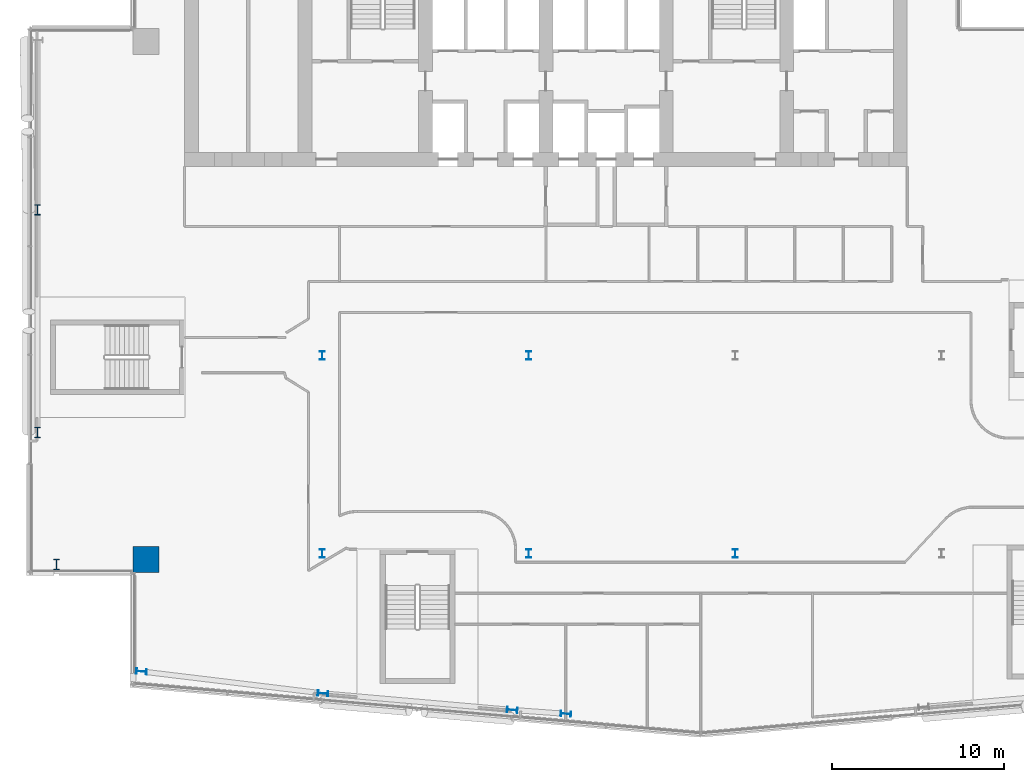
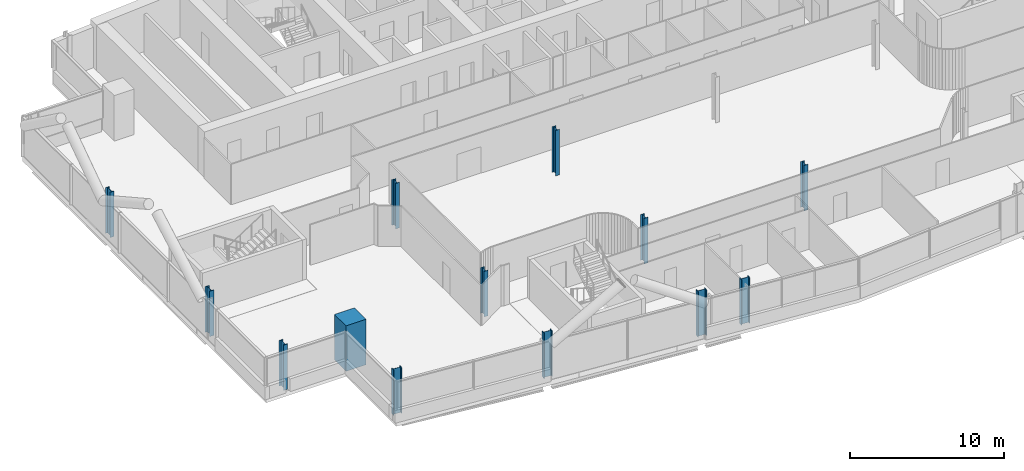
# One storey, part 1 of 29: 13 columns.
"""IFC4 building model written with IfcOpenShell, lengths in metres."""

import ifcopenshell
import ifcopenshell.guid

model = None  # the IFC model being written
_history = None  # IfcOwnerHistory: only IFC2X3 demands one
_inside = {}  # id of a spatial element -> (the spatial element, [elements in it])
_under = {}  # id of a project, library or spatial element -> (it, [spatial elements below it])
_declared = {}  # id of a project -> (the project, [libraries it declares])
_typed = {}  # id of a type object -> (the type object, [elements of that type])
_made_of = {}  # id of a material, layer set ... -> (it, [elements and type objects made of it])


def new_model(schema):
    """Start an empty IFC model of exactly this schema.

    Asked for "IFC4X3", IfcOpenShell would pick the latest addendum, in which some entities
    have other attributes; the version numbers below select the first issue.
    IFC2X3 requires an IfcOwnerHistory on every rooted entity: one is made here for all.
    """
    global model, _history
    if schema == "IFC4X3":
        model = ifcopenshell.file(schema_version=(4, 3, 0, 0))
    else:
        model = ifcopenshell.file(schema=schema)
    _inside.clear()
    _under.clear()
    _declared.clear()
    _typed.clear()
    _made_of.clear()
    _history = None
    if model.schema == "IFC2X3":
        org = make("IfcOrganization", Name="unknown")
        user = make(
            "IfcPersonAndOrganization",
            ThePerson=make("IfcPerson", FamilyName="unknown"),
            TheOrganization=org,
        )
        app = make(
            "IfcApplication",
            ApplicationDeveloper=org,
            Version="unknown",
            ApplicationFullName="unknown",
            ApplicationIdentifier="unknown",
        )
        _history = make(
            "IfcOwnerHistory",
            OwningUser=user,
            OwningApplication=app,
            ChangeAction="ADDED",
            CreationDate=0,
        )
    return model


def make(cls, **values):
    """One entity of the class cls with the attributes given. An attribute that is None is left unset."""
    return model.create_entity(
        cls, **{name: value for name, value in values.items() if value is not None}
    )


def rooted(cls, **values):
    """An entity with a GlobalId (a new one), such as an element, a storey or a relation."""
    return make(cls, GlobalId=ifcopenshell.guid.new(), OwnerHistory=_history, **values)


def si_unit(unit_type, name, prefix=None):
    """IfcSIUnit, for example si_unit("LENGTHUNIT", "METRE", prefix="MILLI")."""
    return make("IfcSIUnit", UnitType=unit_type, Prefix=prefix, Name=name)


def assignment(units):
    """IfcUnitAssignment: the units of a project."""
    return None if units is None else make("IfcUnitAssignment", Units=units)


def point(xyz):
    """IfcCartesianPoint."""
    return None if xyz is None else make("IfcCartesianPoint", Coordinates=xyz)


def direction(xyz):
    """IfcDirection."""
    return None if xyz is None else make("IfcDirection", DirectionRatios=xyz)


def frame(location, z_axis=None, x_axis=None):
    """IfcAxis2Placement3D, a coordinate frame: its origin and axes. An axis left out is left unset."""
    return make(
        "IfcAxis2Placement3D",
        Location=point(location),
        Axis=direction(z_axis),
        RefDirection=direction(x_axis),
    )


def frame_2d(location, x_axis=None):
    """IfcAxis2Placement2D, a coordinate frame in the plane: its origin and x axis."""
    return make(
        "IfcAxis2Placement2D", Location=point(location), RefDirection=direction(x_axis)
    )


def origin():
    """The frame at (0, 0, 0) with its axes left unset."""
    return frame((0.0, 0.0, 0.0))


def origin_2d():
    """The frame at (0, 0) in the plane with its x axis left unset."""
    return frame_2d((0.0, 0.0))


def place(relative_to, where):
    """IfcLocalPlacement: puts the frame where relative to a parent placement (None: the world)."""
    return make(
        "IfcLocalPlacement", PlacementRelTo=relative_to, RelativePlacement=where
    )


def context(
    kind, dimensions, precision=None, world=None, true_north=None, identifier=None
):
    """IfcGeometricRepresentationContext, for example the 3D "Model" context."""
    return make(
        "IfcGeometricRepresentationContext",
        ContextIdentifier=identifier,
        ContextType=kind,
        CoordinateSpaceDimension=dimensions,
        Precision=precision,
        WorldCoordinateSystem=world,
        TrueNorth=true_north,
    )


def subcontext(parent, identifier, kind, view, scale=None):
    """IfcGeometricRepresentationSubContext, for example "Body" below "Model"."""
    return make(
        "IfcGeometricRepresentationSubContext",
        ContextIdentifier=identifier,
        ContextType=kind,
        ParentContext=parent,
        TargetScale=scale,
        TargetView=view,
    )


def project(units=None, contexts=None):
    """IfcProject with its units and contexts."""
    return rooted(
        "IfcProject",
        Name="project",
        RepresentationContexts=contexts,
        UnitsInContext=assignment(units),
    )


def spatial(cls, under=None, at=None, **own):
    """A site, building, storey or space (cls), placed at a placement, below another one or the project."""
    s = rooted(cls, ObjectPlacement=at, **own)
    if under is not None:
        _under.setdefault(under.id(), (under, []))[1].append(s)
    return s


def profile(cls, at=None, kind="AREA", **sizes):
    """A parametric profile (cls). Its sizes go by their IFC names, for example OverallWidth=200.0."""
    return make(cls, ProfileType=kind, Position=at, **sizes)


def rectangle(**sizes):
    """IfcRectangleProfileDef."""
    return profile("IfcRectangleProfileDef", **sizes)


def i_section(**sizes):
    """IfcIShapeProfileDef."""
    return profile("IfcIShapeProfileDef", **sizes)


def extrude(swept, where, along, depth):
    """IfcExtrudedAreaSolid: the profile swept, set in the frame where, extruded along a direction by depth."""
    return make(
        "IfcExtrudedAreaSolid",
        SweptArea=swept,
        Position=where,
        ExtrudedDirection=direction(along),
        Depth=depth,
    )


def shape(context_of_items, identifier, shape_type, items):
    """IfcShapeRepresentation: the items that make up one representation, for example the "Body"."""
    return make(
        "IfcShapeRepresentation",
        ContextOfItems=context_of_items,
        RepresentationIdentifier=identifier,
        RepresentationType=shape_type,
        Items=items,
    )


def material(Name=None, Category=None):
    """IfcMaterial."""
    return make("IfcMaterial", Name=Name, Category=Category)


def material_profile(
    of_material, cross_section, Name=None, Category=None, Priority=None
):
    """IfcMaterialProfile: a cross section and its material."""
    return make(
        "IfcMaterialProfile",
        Name=Name,
        Material=of_material,
        Profile=cross_section,
        Priority=Priority,
        Category=Category,
    )


def profile_set(profiles, Name=None, composite=None):
    """IfcMaterialProfileSet."""
    return make(
        "IfcMaterialProfileSet",
        Name=Name,
        MaterialProfiles=profiles,
        CompositeProfile=composite,
    )


def made_of(thing, what):
    """Note that an element or type object is made of a material, layer set ...; save() writes the relation."""
    if what is not None:
        _made_of.setdefault(what.id(), (what, []))[1].append(thing)
    return thing


def type_object(cls, material=None, **own):
    """A type object (cls), such as IfcWallType, which elements share."""
    return made_of(rooted(cls, **own), material)


def element(
    cls,
    number,
    at=None,
    inside=None,
    cuts=None,
    type_object=None,
    material=None,
    context=None,
    identifier="Body",
    shape_type=None,
    held_by="IfcProductDefinitionShape",
    body=None,
    shapes=None,
    **own,
):
    """One element of the class cls, such as IfcWall. Its Tag is "e" and its number.

    at: its placement. inside: the storey or other place that contains it. cuts: it is an
    opening in that element (IfcRelVoidsElement). A single representation is given by context,
    identifier, shape_type and body (its items); several are given by shapes. held_by: the class
    of the entity that holds the representations. save() writes the other relations.
    """
    e = rooted(cls, Tag="e%d" % number, ObjectPlacement=at, **own)
    if body is not None:
        shapes = [shape(context, identifier, shape_type, body)]
    if shapes is not None:
        e.Representation = make(held_by, Representations=shapes)
    if inside is not None:
        _inside.setdefault(inside.id(), (inside, []))[1].append(e)
    if cuts is not None:
        rooted(
            "IfcRelVoidsElement", RelatingBuildingElement=cuts, RelatedOpeningElement=e
        )
    if type_object is not None:
        _typed.setdefault(type_object.id(), (type_object, []))[1].append(e)
    return made_of(e, material)


def aggregate(whole, parts):
    """IfcRelAggregates: a whole, such as a stair, and the parts it consists of."""
    return rooted("IfcRelAggregates", RelatingObject=whole, RelatedObjects=parts)


def save(model, path):
    """Write the relations noted so far, then the file.

    IfcRelAggregates (storeys below a building ...), IfcRelContainedInSpatialStructure (elements
    in a storey), IfcRelDefinesByType, IfcRelAssociatesMaterial and IfcRelDeclares: one each for
    every whole, place, type object, material and project.
    """
    for whole, parts in _under.values():
        aggregate(whole, parts)
    for where, things in _inside.values():
        rooted(
            "IfcRelContainedInSpatialStructure",
            RelatedElements=things,
            RelatingStructure=where,
        )
    for kind, things in _typed.values():
        rooted("IfcRelDefinesByType", RelatedObjects=things, RelatingType=kind)
    for what, things in _made_of.values():
        rooted("IfcRelAssociatesMaterial", RelatedObjects=things, RelatingMaterial=what)
    for by, libraries in _declared.values():
        rooted("IfcRelDeclares", RelatingContext=by, RelatedDefinitions=libraries)
    model.write(path)


model = new_model("IFC4")

# Units and contexts
model_context = context("Model", 3, precision=1e-05, world=origin(), true_north=direction((0.0, 1.0)))
body_context = subcontext(model_context, "Body", "Model", "MODEL_VIEW")
ifc_project = project(units=[si_unit("LENGTHUNIT", "METRE"), si_unit("AREAUNIT", "SQUARE_METRE"), si_unit("VOLUMEUNIT", "CUBIC_METRE"), si_unit("PLANEANGLEUNIT", "RADIAN"), si_unit("MASSUNIT", "GRAM", prefix="KILO")], contexts=[model_context])

# Site, building, storey
site_placement = place(None, origin())
site = spatial("IfcSite", under=ifc_project, at=site_placement, CompositionType="ELEMENT")
building_placement = place(site_placement, origin())
building = spatial("IfcBuilding", under=site, at=building_placement, Name="Wharfspan Tower", CompositionType="ELEMENT")
storey_placement = place(building_placement, frame((0.0, 0.0, 155.5)))
storey = spatial("IfcBuildingStorey", under=building, at=storey_placement, Name="L37", CompositionType="ELEMENT", Elevation=155.5)

# Columns
ifc_material_1 = material(Name="Steel S355J2", Category="steel")
ifc_material_profile_1 = material_profile(ifc_material_1, i_section(OverallWidth=0.300049, OverallDepth=0.5, WebThickness=0.014404, FlangeThickness=0.028076, FilletRadius=0.0271, at=origin_2d()))
ifc_profile_set_1 = profile_set([ifc_material_profile_1], Name="Steel S355J2")
column_type_1 = type_object("IfcColumnType", Name="Column HEB 500", PredefinedType="COLUMN", material=ifc_profile_set_1)
for number, where, z_axis, x_axis, name in (
    (1, (24.0, 11.5, 0.0), (0.0, 0.0, 1.0), (1.0, 0.0, 0.0), "Interior column I.1.1 L37"),
    (2, (36.0, 11.5, 0.0), (0.0, 0.0, 1.0), (1.0, 0.0, 0.0), "Interior column I.1.2 L37"),
    (3, (48.0, 11.5, 0.0), (0.0, 0.0, 1.0), (1.0, 0.0, 0.0), "Interior column I.1.3 L37"),
    (4, (24.0, 23.0, 0.0), (0.0, 0.0, 1.0), (1.0, 0.0, 0.0), "Interior column I.2.1 L37"),
    (5, (36.0, 23.0, 0.0), (0.0, 0.0, 1.0), (1.0, 0.0, 0.0), "Interior column I.2.2 L37"),
):
    element("IfcColumn", number, at=place(storey_placement, frame(where, z_axis=z_axis, x_axis=x_axis)), inside=storey, type_object=column_type_1, Name=name, PredefinedType="COLUMN", context=body_context, shape_type="SweptSolid", body=[
        extrude(i_section(OverallWidth=0.300049, OverallDepth=0.5, WebThickness=0.014404, FlangeThickness=0.028076, FilletRadius=0.0271, at=origin_2d()), origin(), (0.0, 0.0, 1.0), 3.600098),
    ])
ifc_material_profile_2 = material_profile(ifc_material_1, i_section(OverallWidth=0.304932, OverallDepth=0.620117, WebThickness=0.020996, FlangeThickness=0.040039, FilletRadius=0.0271, at=origin_2d()))
ifc_profile_set_2 = profile_set([ifc_material_profile_2], Name="Steel S355J2")
column_type_2 = type_object("IfcColumnType", Name="Column HEM 600", PredefinedType="COLUMN", material=ifc_profile_set_2)
for number, where, z_axis, x_axis, name in (
    (6, (13.490723, 4.637451, 0.0), (0.0, 0.0, 1.0), (-0.087156, -0.996198, 0.0), "Perimeter column PS1.1 L37"),
    (7, (24.039307, 3.361084, 0.0), (0.0, 0.0, 1.0), (-0.087156, -0.996198, 0.0), "Perimeter column PS1.2 L37"),
    (8, (35.039307, 2.398682, 0.0), (0.0, 0.0, 1.0), (-0.087156, -0.996198, 0.0), "Perimeter column PS1.3 L37"),
    (9, (38.161133, 2.174072, 0.0), (0.0, 0.0, 1.0), (-0.087156, -0.996198, 0.0), "Perimeter column PS1.4 L37"),
    (10, (7.449951, 31.466553, 0.0), (0.0, 0.0, 1.0), (-1.0, 0.0, 0.0), "Perimeter column PW.1 L37"),
    (11, (7.449951, 18.533447, 0.0), (0.0, 0.0, 1.0), (-1.0, 0.0, 0.0), "Perimeter column PW.2 L37"),
    (12, (8.560791, 10.854004, 0.0), (0.0, 0.0, 1.0), (-1.0, 0.0, 0.0), "Perimeter column PW.3 L37"),
):
    element("IfcColumn", number, at=place(storey_placement, frame(where, z_axis=z_axis, x_axis=x_axis)), inside=storey, type_object=column_type_2, Name=name, PredefinedType="COLUMN", context=body_context, shape_type="SweptSolid", body=[
        extrude(i_section(OverallWidth=0.304932, OverallDepth=0.620117, WebThickness=0.020996, FlangeThickness=0.040039, FilletRadius=0.0271, at=origin_2d()), origin(), (0.0, 0.0, 1.0), 3.600098),
    ])
ifc_material_2 = material(Name="Concrete C60/75", Category="concrete")
ifc_material_profile_3 = material_profile(ifc_material_2, rectangle(XDim=1.5, YDim=1.5, at=origin_2d()))
ifc_profile_set_3 = profile_set([ifc_material_profile_3], Name="Concrete C60/75")
column_type_3 = type_object("IfcColumnType", Name="Mega column 1500 C60/75", PredefinedType="COLUMN", material=ifc_profile_set_3)
column_placement = place(storey_placement, frame((13.75, 11.149902, 0.0), z_axis=(0.0, 0.0, 1.0), x_axis=(1.0, 0.0, 0.0)))
element("IfcColumn", 13, at=column_placement, inside=storey, type_object=column_type_3, Name="Mega column MC1 L37", PredefinedType="COLUMN", context=body_context, shape_type="SweptSolid", body=[
    extrude(rectangle(XDim=1.5, YDim=1.5, at=origin_2d()), origin(), (0.0, 0.0, 1.0), 3.600098),
])

save(model, "model.ifc")
